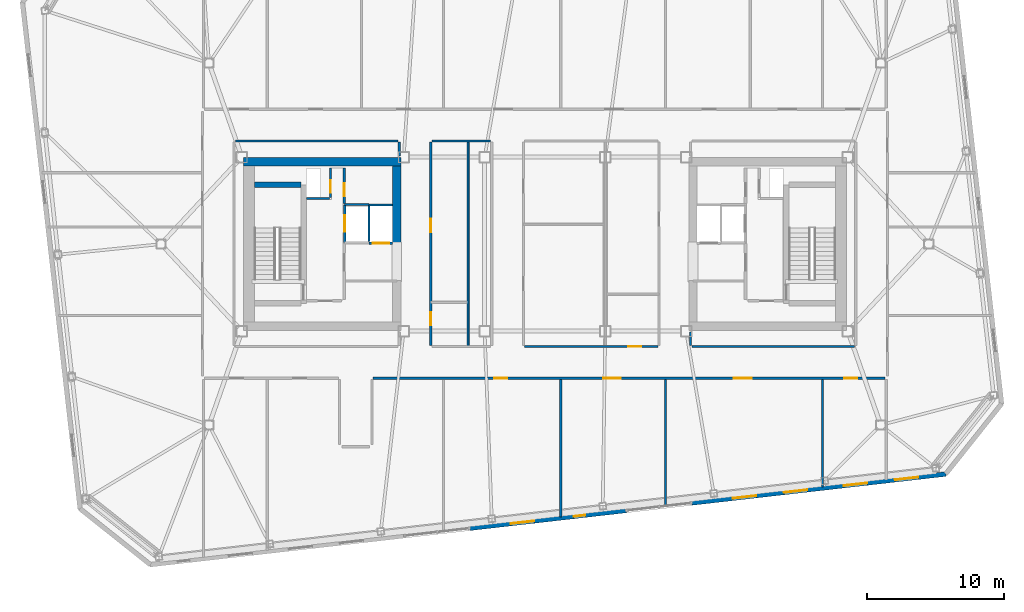
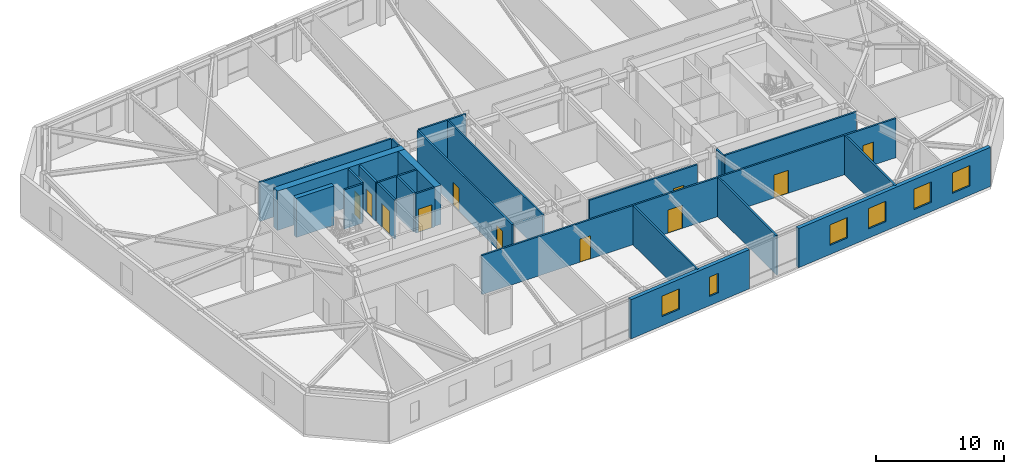
# One storey, part 13 of 19: 25 walls, 11 doors, 6 windows, 17 openings.
"""IFC4 building model written with IfcOpenShell, lengths in metres."""

import ifcopenshell
import ifcopenshell.guid

model = None  # the IFC model being written
_history = None  # IfcOwnerHistory: only IFC2X3 demands one
_inside = {}  # id of a spatial element -> (the spatial element, [elements in it])
_under = {}  # id of a project, library or spatial element -> (it, [spatial elements below it])
_declared = {}  # id of a project -> (the project, [libraries it declares])
_typed = {}  # id of a type object -> (the type object, [elements of that type])
_made_of = {}  # id of a material, layer set ... -> (it, [elements and type objects made of it])


def new_model(schema):
    """Start an empty IFC model of exactly this schema.

    Asked for "IFC4X3", IfcOpenShell would pick the latest addendum, in which some entities
    have other attributes; the version numbers below select the first issue.
    IFC2X3 requires an IfcOwnerHistory on every rooted entity: one is made here for all.
    """
    global model, _history
    if schema == "IFC4X3":
        model = ifcopenshell.file(schema_version=(4, 3, 0, 0))
    else:
        model = ifcopenshell.file(schema=schema)
    _inside.clear()
    _under.clear()
    _declared.clear()
    _typed.clear()
    _made_of.clear()
    _history = None
    if model.schema == "IFC2X3":
        org = make("IfcOrganization", Name="unknown")
        user = make(
            "IfcPersonAndOrganization",
            ThePerson=make("IfcPerson", FamilyName="unknown"),
            TheOrganization=org,
        )
        app = make(
            "IfcApplication",
            ApplicationDeveloper=org,
            Version="unknown",
            ApplicationFullName="unknown",
            ApplicationIdentifier="unknown",
        )
        _history = make(
            "IfcOwnerHistory",
            OwningUser=user,
            OwningApplication=app,
            ChangeAction="ADDED",
            CreationDate=0,
        )
    return model


def make(cls, **values):
    """One entity of the class cls with the attributes given. An attribute that is None is left unset."""
    return model.create_entity(
        cls, **{name: value for name, value in values.items() if value is not None}
    )


def rooted(cls, **values):
    """An entity with a GlobalId (a new one), such as an element, a storey or a relation."""
    return make(cls, GlobalId=ifcopenshell.guid.new(), OwnerHistory=_history, **values)


def si_unit(unit_type, name, prefix=None):
    """IfcSIUnit, for example si_unit("LENGTHUNIT", "METRE", prefix="MILLI")."""
    return make("IfcSIUnit", UnitType=unit_type, Prefix=prefix, Name=name)


def assignment(units):
    """IfcUnitAssignment: the units of a project."""
    return None if units is None else make("IfcUnitAssignment", Units=units)


def point(xyz):
    """IfcCartesianPoint."""
    return None if xyz is None else make("IfcCartesianPoint", Coordinates=xyz)


def direction(xyz):
    """IfcDirection."""
    return None if xyz is None else make("IfcDirection", DirectionRatios=xyz)


def frame(location, z_axis=None, x_axis=None):
    """IfcAxis2Placement3D, a coordinate frame: its origin and axes. An axis left out is left unset."""
    return make(
        "IfcAxis2Placement3D",
        Location=point(location),
        Axis=direction(z_axis),
        RefDirection=direction(x_axis),
    )


def frame_2d(location, x_axis=None):
    """IfcAxis2Placement2D, a coordinate frame in the plane: its origin and x axis."""
    return make(
        "IfcAxis2Placement2D", Location=point(location), RefDirection=direction(x_axis)
    )


def origin():
    """The frame at (0, 0, 0) with its axes left unset."""
    return frame((0.0, 0.0, 0.0))


def place(relative_to, where):
    """IfcLocalPlacement: puts the frame where relative to a parent placement (None: the world)."""
    return make(
        "IfcLocalPlacement", PlacementRelTo=relative_to, RelativePlacement=where
    )


def context(
    kind, dimensions, precision=None, world=None, true_north=None, identifier=None
):
    """IfcGeometricRepresentationContext, for example the 3D "Model" context."""
    return make(
        "IfcGeometricRepresentationContext",
        ContextIdentifier=identifier,
        ContextType=kind,
        CoordinateSpaceDimension=dimensions,
        Precision=precision,
        WorldCoordinateSystem=world,
        TrueNorth=true_north,
    )


def subcontext(parent, identifier, kind, view, scale=None):
    """IfcGeometricRepresentationSubContext, for example "Body" below "Model"."""
    return make(
        "IfcGeometricRepresentationSubContext",
        ContextIdentifier=identifier,
        ContextType=kind,
        ParentContext=parent,
        TargetScale=scale,
        TargetView=view,
    )


def project(units=None, contexts=None):
    """IfcProject with its units and contexts."""
    return rooted(
        "IfcProject",
        Name="project",
        RepresentationContexts=contexts,
        UnitsInContext=assignment(units),
    )


def spatial(cls, under=None, at=None, **own):
    """A site, building, storey or space (cls), placed at a placement, below another one or the project."""
    s = rooted(cls, ObjectPlacement=at, **own)
    if under is not None:
        _under.setdefault(under.id(), (under, []))[1].append(s)
    return s


def profile(cls, at=None, kind="AREA", **sizes):
    """A parametric profile (cls). Its sizes go by their IFC names, for example OverallWidth=200.0."""
    return make(cls, ProfileType=kind, Position=at, **sizes)


def rectangle(**sizes):
    """IfcRectangleProfileDef."""
    return profile("IfcRectangleProfileDef", **sizes)


def extrude(swept, where, along, depth):
    """IfcExtrudedAreaSolid: the profile swept, set in the frame where, extruded along a direction by depth."""
    return make(
        "IfcExtrudedAreaSolid",
        SweptArea=swept,
        Position=where,
        ExtrudedDirection=direction(along),
        Depth=depth,
    )


def shape(context_of_items, identifier, shape_type, items):
    """IfcShapeRepresentation: the items that make up one representation, for example the "Body"."""
    return make(
        "IfcShapeRepresentation",
        ContextOfItems=context_of_items,
        RepresentationIdentifier=identifier,
        RepresentationType=shape_type,
        Items=items,
    )


def material(Name=None, Category=None):
    """IfcMaterial."""
    return make("IfcMaterial", Name=Name, Category=Category)


def layer(
    of_material, thickness, ventilated=None, Name=None, Category=None, Priority=None
):
    """IfcMaterialLayer: one layer of a wall or slab, of a material (None: an air gap)."""
    return make(
        "IfcMaterialLayer",
        Material=of_material,
        LayerThickness=thickness,
        IsVentilated=ventilated,
        Name=Name,
        Category=Category,
        Priority=Priority,
    )


def layer_set(layers, Name=None):
    """IfcMaterialLayerSet."""
    return make("IfcMaterialLayerSet", MaterialLayers=layers, LayerSetName=Name)


def made_of(thing, what):
    """Note that an element or type object is made of a material, layer set ...; save() writes the relation."""
    if what is not None:
        _made_of.setdefault(what.id(), (what, []))[1].append(thing)
    return thing


def type_object(cls, material=None, **own):
    """A type object (cls), such as IfcWallType, which elements share."""
    return made_of(rooted(cls, **own), material)


def element(
    cls,
    number,
    at=None,
    inside=None,
    cuts=None,
    type_object=None,
    material=None,
    context=None,
    identifier="Body",
    shape_type=None,
    held_by="IfcProductDefinitionShape",
    body=None,
    shapes=None,
    **own,
):
    """One element of the class cls, such as IfcWall. Its Tag is "e" and its number.

    at: its placement. inside: the storey or other place that contains it. cuts: it is an
    opening in that element (IfcRelVoidsElement). A single representation is given by context,
    identifier, shape_type and body (its items); several are given by shapes. held_by: the class
    of the entity that holds the representations. save() writes the other relations.
    """
    e = rooted(cls, Tag="e%d" % number, ObjectPlacement=at, **own)
    if body is not None:
        shapes = [shape(context, identifier, shape_type, body)]
    if shapes is not None:
        e.Representation = make(held_by, Representations=shapes)
    if inside is not None:
        _inside.setdefault(inside.id(), (inside, []))[1].append(e)
    if cuts is not None:
        rooted(
            "IfcRelVoidsElement", RelatingBuildingElement=cuts, RelatedOpeningElement=e
        )
    if type_object is not None:
        _typed.setdefault(type_object.id(), (type_object, []))[1].append(e)
    return made_of(e, material)


def fill(opening, filler):
    """IfcRelFillsElement: the door or window that sits in an opening."""
    return rooted(
        "IfcRelFillsElement",
        RelatingOpeningElement=opening,
        RelatedBuildingElement=filler,
    )


def aggregate(whole, parts):
    """IfcRelAggregates: a whole, such as a stair, and the parts it consists of."""
    return rooted("IfcRelAggregates", RelatingObject=whole, RelatedObjects=parts)


def save(model, path):
    """Write the relations noted so far, then the file.

    IfcRelAggregates (storeys below a building ...), IfcRelContainedInSpatialStructure (elements
    in a storey), IfcRelDefinesByType, IfcRelAssociatesMaterial and IfcRelDeclares: one each for
    every whole, place, type object, material and project.
    """
    for whole, parts in _under.values():
        aggregate(whole, parts)
    for where, things in _inside.values():
        rooted(
            "IfcRelContainedInSpatialStructure",
            RelatedElements=things,
            RelatingStructure=where,
        )
    for kind, things in _typed.values():
        rooted("IfcRelDefinesByType", RelatedObjects=things, RelatingType=kind)
    for what, things in _made_of.values():
        rooted("IfcRelAssociatesMaterial", RelatedObjects=things, RelatingMaterial=what)
    for by, libraries in _declared.values():
        rooted("IfcRelDeclares", RelatingContext=by, RelatedDefinitions=libraries)
    model.write(path)


model = new_model("IFC4")

# Units and contexts
model_context = context("Model", 3, precision=1e-05, world=origin(), true_north=direction((0.0, 1.0)))
body_context = subcontext(model_context, "Body", "Model", "MODEL_VIEW")
ifc_project = project(units=[si_unit("LENGTHUNIT", "METRE"), si_unit("AREAUNIT", "SQUARE_METRE"), si_unit("VOLUMEUNIT", "CUBIC_METRE"), si_unit("PLANEANGLEUNIT", "RADIAN"), si_unit("MASSUNIT", "GRAM", prefix="KILO")], contexts=[model_context])

# Site, building, storey
site_placement = place(None, origin())
site = spatial("IfcSite", under=ifc_project, at=site_placement, CompositionType="ELEMENT")
building_placement = place(site_placement, origin())
building = spatial("IfcBuilding", under=site, at=building_placement, Name="Tavrogorsk Clinical Tower", CompositionType="ELEMENT")
storey_placement = place(building_placement, frame((0.0, 0.0, 263.0)))
storey = spatial("IfcBuildingStorey", under=building, at=storey_placement, Name="L61", CompositionType="ELEMENT", Elevation=263.0)

# Wall, opening, door
ifc_material_1 = material(Name="Concrete B60", Category="concrete")
ifc_layer_1 = layer(ifc_material_1, 0.199951171875)
ifc_layer_set_1 = layer_set([ifc_layer_1], Name="Concrete B60")
wall_type_1 = type_object("IfcWallType", Name="CoreFireWall_200", PredefinedType="SOLIDWALL", material=ifc_layer_set_1)
wall_1_placement = place(storey_placement, frame((-14.639892578125, 2.9599609375, 0.0), z_axis=(0.0, 0.0, 1.0), x_axis=(0.0, 1.0, 0.0)))
wall_1 = element("IfcWall", 1, at=wall_1_placement, inside=storey, type_object=wall_type_1, Name="L61 Core West North Core Room East Wall", PredefinedType="SOLIDWALL", context=body_context, shape_type="SweptSolid", body=[
    extrude(rectangle(XDim=2.60009765625, YDim=0.199951171875, at=frame_2d((1.300048828125, 0.0))), origin(), (0.0, 0.0, 1.0), 3.739990234375),
])
opening_1_placement = place(wall_1_placement, frame((0.52001953125, 0.0, 0.0)))
opening_1 = element("IfcOpeningElement", 2, at=opening_1_placement, cuts=wall_1, Name="Opening ID-02", PredefinedType="OPENING", context=body_context, shape_type="SweptSolid", body=[
    extrude(rectangle(XDim=0.949951171875, YDim=2.199951171875, at=frame_2d((0.47509765625, 1.10009765625))), frame((0.0, 0.10986328125, 0.0), z_axis=(0.0, -1.0, 0.0), x_axis=(1.0, 0.0, 0.0)), (0.0, 0.0, 1.0), 0.219970703125),
])
ifc_material_2 = material(Name="Laminated timber leaf on aluminium frame", Category="wood")
door_type_1 = type_object("IfcDoorType", Name="InteriorDoor_ID02_950", OperationType="NOTDEFINED", PredefinedType="DOOR", material=ifc_material_2)
door_1_placement = place(opening_1_placement, origin())
door_1 = element("IfcDoor", 3, at=door_1_placement, inside=storey, type_object=door_type_1, Name="L61 Core West Core Telemetry Room Door", OperationType="SINGLE_SWING_LEFT", OverallHeight=2.199951171875, OverallWidth=0.949951171875, PredefinedType="DOOR", context=body_context, shape_type="SweptSolid", body=[
    extrude(rectangle(XDim=0.949951171875, YDim=2.199951171875, at=frame_2d((0.47509765625, 1.10009765625))), frame((0.0, 0.02490234375, 0.0), z_axis=(0.0, -1.0, 0.0), x_axis=(1.0, 0.0, 0.0)), (0.0, 0.0, 1.0), 0.050048828125),
])
fill(opening_1, door_1)

# Wall
ifc_material_3 = material(Name="Lightweight concrete blockwork B15", Category="masonry")
ifc_layer_2 = layer(ifc_material_3, 0.139892578125)
ifc_layer_set_2 = layer_set([ifc_layer_2], Name="Lightweight concrete blockwork B15")
wall_type_2 = type_object("IfcWallType", Name="PartitionWall_140", PredefinedType="PARTITIONING", material=ifc_layer_set_2)
wall_2_placement = place(storey_placement, frame((-5.60009765625, -7.465087890625, 0.0), z_axis=(0.0, 0.0, 1.0), x_axis=(0.0, 1.0, 0.0)))
element("IfcWall", 4, at=wall_2_placement, inside=storey, type_object=wall_type_2, Name="L61 Central Spine Partition 1", PredefinedType="PARTITIONING", context=body_context, shape_type="SweptSolid", body=[
    extrude(rectangle(XDim=14.97998046875, YDim=0.139892578125, at=frame_2d((7.489990234375, 0.0))), origin(), (0.0, 0.0, 1.0), 3.739990234375),
])

# Wall, openings, doors
ifc_material_4 = material(Name="Lightweight concrete blockwork B15", Category="masonry")
ifc_layer_3 = layer(ifc_material_4, 0.159912109375)
ifc_layer_set_3 = layer_set([ifc_layer_3], Name="Lightweight concrete blockwork B15")
wall_type_3 = type_object("IfcWallType", Name="PartitionWall_160", PredefinedType="PARTITIONING", material=ifc_layer_set_3)
wall_3_placement = place(storey_placement, frame((24.81494140625, -9.780029296875, 0.0), z_axis=(0.0, 0.0, 1.0), x_axis=(-1.0, 0.0, 0.0)))
wall_3 = element("IfcWall", 5, at=wall_3_placement, inside=storey, type_object=wall_type_3, Name="L61 Corridor Partition 04", PredefinedType="PARTITIONING", context=body_context, shape_type="SweptSolid", body=[
    extrude(rectangle(XDim=37.349853515625, YDim=0.159912109375, at=frame_2d((18.6748046875, 0.0))), origin(), (0.0, 0.0, 1.0), 3.739990234375),
])
opening_2_placement = place(wall_3_placement, frame((27.550048828125, 0.0, 0.0)))
opening_2 = element("IfcOpeningElement", 6, at=opening_2_placement, cuts=wall_3, Name="Opening ID-02", PredefinedType="OPENING", context=body_context, shape_type="SweptSolid", body=[
    extrude(rectangle(XDim=0.949951171875, YDim=2.199951171875, at=frame_2d((0.47509765625, 1.10009765625))), frame((0.0, 0.08984375, 0.0), z_axis=(0.0, -1.0, 0.0), x_axis=(1.0, 0.0, 0.0)), (0.0, 0.0, 1.0), 0.179931640625),
])
opening_3_placement = place(wall_3_placement, frame((19.27490234375, 0.0, 0.0)))
opening_3 = element("IfcOpeningElement", 7, at=opening_3_placement, cuts=wall_3, Name="Opening ID-01", PredefinedType="OPENING", context=body_context, shape_type="SweptSolid", body=[
    extrude(rectangle(XDim=1.300048828125, YDim=2.199951171875, at=frame_2d((0.64990234375, 1.10009765625))), frame((0.0, 0.08984375, 0.0), z_axis=(0.0, -1.0, 0.0), x_axis=(1.0, 0.0, 0.0)), (0.0, 0.0, 1.0), 0.179931640625),
])
opening_4_placement = place(wall_3_placement, frame((9.72509765625, 0.0, 0.0)))
opening_4 = element("IfcOpeningElement", 8, at=opening_4_placement, cuts=wall_3, Name="Opening ID-01", PredefinedType="OPENING", context=body_context, shape_type="SweptSolid", body=[
    extrude(rectangle(XDim=1.300048828125, YDim=2.199951171875, at=frame_2d((0.64990234375, 1.10009765625))), frame((0.0, 0.08984375, 0.0), z_axis=(0.0, -1.0, 0.0), x_axis=(1.0, 0.0, 0.0)), (0.0, 0.0, 1.0), 0.179931640625),
])
opening_5_placement = place(wall_3_placement, frame((2.044189453125, 0.0, 0.0)))
opening_5 = element("IfcOpeningElement", 9, at=opening_5_placement, cuts=wall_3, Name="Opening ID-02", PredefinedType="OPENING", context=body_context, shape_type="SweptSolid", body=[
    extrude(rectangle(XDim=0.949951171875, YDim=2.199951171875, at=frame_2d((0.47509765625, 1.10009765625))), frame((0.0, 0.08984375, 0.0), z_axis=(0.0, -1.0, 0.0), x_axis=(1.0, 0.0, 0.0)), (0.0, 0.0, 1.0), 0.179931640625),
])
door_2_placement = place(opening_2_placement, origin())
door_2 = element("IfcDoor", 10, at=door_2_placement, inside=storey, type_object=door_type_1, Name="L61 South Attending Physician Office 03A Door", OperationType="SINGLE_SWING_LEFT", OverallHeight=2.199951171875, OverallWidth=0.949951171875, PredefinedType="DOOR", context=body_context, shape_type="SweptSolid", body=[
    extrude(rectangle(XDim=0.949951171875, YDim=2.199951171875, at=frame_2d((0.47509765625, 1.10009765625))), frame((0.0, 0.02490234375, 0.0), z_axis=(0.0, -1.0, 0.0), x_axis=(1.0, 0.0, 0.0)), (0.0, 0.0, 1.0), 0.050048828125),
])
fill(opening_2, door_2)
door_3_placement = place(opening_5_placement, origin())
door_3 = element("IfcDoor", 11, at=door_3_placement, inside=storey, type_object=door_type_1, Name="L61 South Clean Medication & Prep Room 05 Door", OperationType="SINGLE_SWING_RIGHT", OverallHeight=2.199951171875, OverallWidth=0.949951171875, PredefinedType="DOOR", context=body_context, shape_type="SweptSolid", body=[
    extrude(rectangle(XDim=0.949951171875, YDim=2.199951171875, at=frame_2d((0.47509765625, 1.10009765625))), frame((0.0, 0.02490234375, 0.0), z_axis=(0.0, -1.0, 0.0), x_axis=(1.0, 0.0, 0.0)), (0.0, 0.0, 1.0), 0.050048828125),
])
fill(opening_5, door_3)
ifc_material_5 = material(Name="Antibacterial HPL medical leaf on aluminium frame", Category="aluminium")
door_type_2 = type_object("IfcDoorType", Name="WardBedDoor_ID01_1300", OperationType="NOTDEFINED", PredefinedType="DOOR", material=ifc_material_5)
door_4_placement = place(opening_3_placement, origin())
door_4 = element("IfcDoor", 12, at=door_4_placement, inside=storey, type_object=door_type_2, Name="L61 South Bariatric Observation Ward 03B Door", OperationType="SINGLE_SWING_RIGHT", OverallHeight=2.199951171875, OverallWidth=1.300048828125, PredefinedType="DOOR", context=body_context, shape_type="SweptSolid", body=[
    extrude(rectangle(XDim=1.300048828125, YDim=2.199951171875, at=frame_2d((0.64990234375, 1.10009765625))), frame((0.0, 0.02490234375, 0.0), z_axis=(0.0, -1.0, 0.0), x_axis=(1.0, 0.0, 0.0)), (0.0, 0.0, 1.0), 0.050048828125),
])
fill(opening_3, door_4)
door_5_placement = place(opening_4_placement, origin())
door_5 = element("IfcDoor", 13, at=door_5_placement, inside=storey, type_object=door_type_2, Name="L61 South Acute Medical Ward 04 Door", OperationType="SINGLE_SWING_LEFT", OverallHeight=2.199951171875, OverallWidth=1.300048828125, PredefinedType="DOOR", context=body_context, shape_type="SweptSolid", body=[
    extrude(rectangle(XDim=1.300048828125, YDim=2.199951171875, at=frame_2d((0.64990234375, 1.10009765625))), frame((0.0, 0.02490234375, 0.0), z_axis=(0.0, -1.0, 0.0), x_axis=(1.0, 0.0, 0.0)), (0.0, 0.0, 1.0), 0.050048828125),
])
fill(opening_4, door_5)

# Walls
wall_4_placement = place(storey_placement, frame((10.6298828125, -6.419921875, 0.0), z_axis=(0.0, 0.0, 1.0), x_axis=(0.0, -1.0, 0.0)))
element("IfcWall", 14, at=wall_4_placement, inside=storey, type_object=wall_type_3, Name="L61 Corridor Partition 11", PredefinedType="PARTITIONING", context=body_context, shape_type="SweptSolid", body=[
    extrude(rectangle(XDim=0.965087890625, YDim=0.159912109375, at=frame_2d((0.482421875, 0.0))), origin(), (0.0, 0.0, 1.0), 3.739990234375),
])
wall_5_placement = place(storey_placement, frame((10.715087890625, -7.469970703125, 0.0), z_axis=(0.0, 0.0, 1.0), x_axis=(1.0, 0.0, 0.0)))
element("IfcWall", 15, at=wall_5_placement, inside=storey, type_object=wall_type_3, Name="L61 Corridor Partition 12", PredefinedType="PARTITIONING", context=body_context, shape_type="SweptSolid", body=[
    extrude(rectangle(XDim=11.869873046875, YDim=0.159912109375, at=frame_2d((5.93505859375, 0.0))), origin(), (0.0, 0.0, 1.0), 3.739990234375),
])

# Wall, opening, door
wall_6_placement = place(storey_placement, frame((-1.485107421875, -7.469970703125, 0.0), z_axis=(0.0, 0.0, 1.0), x_axis=(1.0, 0.0, 0.0)))
wall_6 = element("IfcWall", 16, at=wall_6_placement, inside=storey, type_object=wall_type_3, Name="L61 Corridor Partition 16", PredefinedType="PARTITIONING", context=body_context, shape_type="SweptSolid", body=[
    extrude(rectangle(XDim=9.72021484375, YDim=0.159912109375, at=frame_2d((4.860107421875, 0.0))), origin(), (0.0, 0.0, 1.0), 3.739990234375),
])
opening_6_placement = place(wall_6_placement, frame((7.560791015625, 0.0, 0.0)))
opening_6 = element("IfcOpeningElement", 17, at=opening_6_placement, cuts=wall_6, Name="Opening ID-02", PredefinedType="OPENING", context=body_context, shape_type="SweptSolid", body=[
    extrude(rectangle(XDim=0.949951171875, YDim=2.199951171875, at=frame_2d((0.47509765625, 1.10009765625))), frame((0.0, 0.08984375, 0.0), z_axis=(0.0, -1.0, 0.0), x_axis=(1.0, 0.0, 0.0)), (0.0, 0.0, 1.0), 0.179931640625),
])
door_6_placement = place(opening_6_placement, origin())
door_6 = element("IfcDoor", 18, at=door_6_placement, inside=storey, type_object=door_type_1, Name="L61 Staff & Visitor Accessible WC Door", OperationType="SINGLE_SWING_LEFT", OverallHeight=2.199951171875, OverallWidth=0.949951171875, PredefinedType="DOOR", context=body_context, shape_type="SweptSolid", body=[
    extrude(rectangle(XDim=0.949951171875, YDim=2.199951171875, at=frame_2d((0.47509765625, 1.10009765625))), frame((0.0, 0.02490234375, 0.0), z_axis=(0.0, -1.0, 0.0), x_axis=(1.0, 0.0, 0.0)), (0.0, 0.0, 1.0), 0.050048828125),
])
fill(opening_6, door_6)

# Wall
wall_7_placement = place(storey_placement, frame((-3.965087890625, 7.52001953125, 0.0), z_axis=(0.0, 0.0, 1.0), x_axis=(-1.0, 0.0, 0.0)))
element("IfcWall", 19, at=wall_7_placement, inside=storey, type_object=wall_type_3, Name="L61 Corridor Partition 19", PredefinedType="PARTITIONING", context=body_context, shape_type="SweptSolid", body=[
    extrude(rectangle(XDim=4.27001953125, YDim=0.159912109375, at=frame_2d((2.135009765625, 0.0))), origin(), (0.0, 0.0, 1.0), 3.739990234375),
])

# Wall, openings, doors
wall_8_placement = place(storey_placement, frame((-8.320068359375, 7.43505859375, 0.0), z_axis=(0.0, 0.0, 1.0), x_axis=(0.0, -1.0, 0.0)))
wall_8 = element("IfcWall", 20, at=wall_8_placement, inside=storey, type_object=wall_type_3, Name="L61 Corridor Partition 20", PredefinedType="PARTITIONING", context=body_context, shape_type="SweptSolid", body=[
    extrude(rectangle(XDim=14.820068359375, YDim=0.159912109375, at=frame_2d((7.41015625, 0.0))), origin(), (0.0, 0.0, 1.0), 3.739990234375),
])
opening_7_placement = place(wall_8_placement, frame((12.410888671875, 0.0, 0.0)))
opening_7 = element("IfcOpeningElement", 21, at=opening_7_placement, cuts=wall_8, Name="Opening ID-02", PredefinedType="OPENING", context=body_context, shape_type="SweptSolid", body=[
    extrude(rectangle(XDim=0.949951171875, YDim=2.199951171875, at=frame_2d((0.47509765625, 1.10009765625))), frame((0.0, 0.08984375, 0.0), z_axis=(0.0, -1.0, 0.0), x_axis=(1.0, 0.0, 0.0)), (0.0, 0.0, 1.0), 0.179931640625),
])
opening_8_placement = place(wall_8_placement, frame((5.60400390625, 0.0, 0.0)))
opening_8 = element("IfcOpeningElement", 22, at=opening_8_placement, cuts=wall_8, Name="Opening ID-02", PredefinedType="OPENING", context=body_context, shape_type="SweptSolid", body=[
    extrude(rectangle(XDim=0.949951171875, YDim=2.199951171875, at=frame_2d((0.47509765625, 1.10009765625))), frame((0.0, 0.08984375, 0.0), z_axis=(0.0, -1.0, 0.0), x_axis=(1.0, 0.0, 0.0)), (0.0, 0.0, 1.0), 0.179931640625),
])
door_7_placement = place(opening_7_placement, origin())
door_7 = element("IfcDoor", 23, at=door_7_placement, inside=storey, type_object=door_type_1, Name="L61 Accessible Patient Lavatory Door", OperationType="SINGLE_SWING_LEFT", OverallHeight=2.199951171875, OverallWidth=0.949951171875, PredefinedType="DOOR", context=body_context, shape_type="SweptSolid", body=[
    extrude(rectangle(XDim=0.949951171875, YDim=2.199951171875, at=frame_2d((0.47509765625, 1.10009765625))), frame((0.0, 0.02490234375, 0.0), z_axis=(0.0, -1.0, 0.0), x_axis=(1.0, 0.0, 0.0)), (0.0, 0.0, 1.0), 0.050048828125),
])
fill(opening_7, door_7)
door_8_placement = place(opening_8_placement, origin())
door_8 = element("IfcDoor", 24, at=door_8_placement, inside=storey, type_object=door_type_1, Name="L61 Ward Nourishment Pantry Door", OperationType="SINGLE_SWING_RIGHT", OverallHeight=2.199951171875, OverallWidth=0.949951171875, PredefinedType="DOOR", context=body_context, shape_type="SweptSolid", body=[
    extrude(rectangle(XDim=0.949951171875, YDim=2.199951171875, at=frame_2d((0.47509765625, 1.10009765625))), frame((0.0, 0.02490234375, 0.0), z_axis=(0.0, -1.0, 0.0), x_axis=(1.0, 0.0, 0.0)), (0.0, 0.0, 1.0), 0.050048828125),
])
fill(opening_8, door_8)

# Walls
wall_9_placement = place(storey_placement, frame((-10.6298828125, 6.419921875, 0.0), z_axis=(0.0, 0.0, 1.0), x_axis=(0.0, 1.0, 0.0)))
element("IfcWall", 25, at=wall_9_placement, inside=storey, type_object=wall_type_3, Name="L61 Corridor Partition 23", PredefinedType="PARTITIONING", context=body_context, shape_type="SweptSolid", body=[
    extrude(rectangle(XDim=1.01513671875, YDim=0.159912109375, at=frame_2d((0.507568359375, 0.0))), origin(), (0.0, 0.0, 1.0), 3.739990234375),
])
wall_10_placement = place(storey_placement, frame((-10.715087890625, 7.52001953125, 0.0), z_axis=(0.0, 0.0, 1.0), x_axis=(-1.0, 0.0, 0.0)))
element("IfcWall", 26, at=wall_10_placement, inside=storey, type_object=wall_type_3, Name="L61 Corridor Partition 24", PredefinedType="PARTITIONING", context=body_context, shape_type="SweptSolid", body=[
    extrude(rectangle(XDim=11.869873046875, YDim=0.159912109375, at=frame_2d((5.93505859375, 0.0))), origin(), (0.0, 0.0, 1.0), 3.739990234375),
])
wall_11_placement = place(storey_placement, frame((8.800048828125, -19.03369140625, 0.0), z_axis=(0.0, 0.0, 1.0), x_axis=(0.0, 1.0, 0.0)))
element("IfcWall", 27, at=wall_11_placement, inside=storey, type_object=wall_type_3, Name="L61 South Room Partition 3", PredefinedType="PARTITIONING", context=body_context, shape_type="SweptSolid", body=[
    extrude(rectangle(XDim=9.168701171875, YDim=0.159912109375, at=frame_2d((4.58447265625, 0.0))), origin(), (0.0, 0.0, 1.0), 3.739990234375),
])
wall_12_placement = place(storey_placement, frame((20.25, -17.729248046875, 0.0), z_axis=(0.0, 0.0, 1.0), x_axis=(0.0, 1.0, 0.0)))
element("IfcWall", 28, at=wall_12_placement, inside=storey, type_object=wall_type_3, Name="L61 South Room Partition 4", PredefinedType="PARTITIONING", context=body_context, shape_type="SweptSolid", body=[
    extrude(rectangle(XDim=7.8642578125, YDim=0.159912109375, at=frame_2d((3.93212890625, 0.0))), origin(), (0.0, 0.0, 1.0), 3.739990234375),
])
wall_13_placement = place(storey_placement, frame((1.14990234375, -19.905517578125, 0.0), z_axis=(0.0, 0.0, 1.0), x_axis=(0.0, 1.0, 0.0)))
element("IfcWall", 29, at=wall_13_placement, inside=storey, type_object=wall_type_3, Name="L61 South Sub-Partition 3", PredefinedType="PARTITIONING", context=body_context, shape_type="SweptSolid", body=[
    extrude(rectangle(XDim=10.04052734375, YDim=0.159912109375, at=frame_2d((5.020263671875, 0.0))), origin(), (0.0, 0.0, 1.0), 3.739990234375),
])

# Wall, openings, windows
ifc_material_6 = material(Name="Precast concrete B45 with limestone cladding", Category="masonry")
ifc_layer_4 = layer(ifc_material_6, 0.340087890625)
ifc_layer_set_4 = layer_set([ifc_layer_4], Name="Precast concrete B45 with limestone cladding")
wall_type_4 = type_object("IfcWallType", Name="PrecastLimestoneWall_340", PredefinedType="STANDARD", material=ifc_layer_set_4)
wall_14_placement = place(storey_placement, frame((-5.48193359375, -20.7314453125, 0.0), z_axis=(0.0, 0.0, 1.0), x_axis=(0.993571968199, 0.113202226169, 0.0)))
wall_14 = element("IfcWall", 30, at=wall_14_placement, inside=storey, type_object=wall_type_4, Name="L61 S Limestone Facade Wall 2", PredefinedType="STANDARD", context=body_context, shape_type="SweptSolid", body=[
    extrude(rectangle(XDim=11.497314453125, YDim=0.340087890625, at=frame_2d((5.74853515625, 0.0))), origin(), (0.0, 0.0, 1.0), 3.739990234375),
])
opening_9_placement = place(wall_14_placement, frame((3.0244140625, 0.0, 0.8798828125)))
opening_9 = element("IfcOpeningElement", 31, at=opening_9_placement, cuts=wall_14, Name="Opening WN-15", PredefinedType="OPENING", context=body_context, shape_type="SweptSolid", body=[
    extrude(rectangle(XDim=1.699951171875, YDim=1.949951171875, at=frame_2d((0.85009765625, 0.97509765625))), frame((0.0, 0.179931640625, 0.0), z_axis=(0.0, -1.0, 0.0), x_axis=(1.0, 0.0, 0.0)), (0.0, 0.0, 1.0), 0.360107421875),
])
opening_10_placement = place(wall_14_placement, frame((7.622802734375, 0.0, 0.8798828125)))
opening_10 = element("IfcOpeningElement", 32, at=opening_10_placement, cuts=wall_14, Name="Opening WN-06", PredefinedType="OPENING", context=body_context, shape_type="SweptSolid", body=[
    extrude(rectangle(XDim=0.85009765625, YDim=1.85009765625, at=frame_2d((0.425048828125, 0.925048828125))), frame((0.0, 0.179931640625, 0.0), z_axis=(0.0, -1.0, 0.0), x_axis=(1.0, 0.0, 0.0)), (0.0, 0.0, 1.0), 0.360107421875),
])
ifc_material_7 = material(Name="Thermally broken aluminium frame and triple IGU", Category="aluminium")
window_type_1 = type_object("IfcWindowType", Name="MullionSubWin_850x1850", PartitioningType="SINGLE_PANEL", PredefinedType="WINDOW", material=ifc_material_7)
window_1_placement = place(opening_10_placement, origin())
window_1 = element("IfcWindow", 33, at=window_1_placement, inside=storey, type_object=window_type_1, Name="L61 S Mullion Split Window 06B", OverallHeight=1.85009765625, OverallWidth=0.85009765625, PartitioningType="SINGLE_PANEL", PredefinedType="WINDOW", context=body_context, shape_type="SweptSolid", body=[
    extrude(rectangle(XDim=0.85009765625, YDim=1.85009765625, at=frame_2d((0.425048828125, 0.925048828125))), frame((0.0, 0.030029296875, 0.0), z_axis=(0.0, -1.0, 0.0), x_axis=(1.0, 0.0, 0.0)), (0.0, 0.0, 1.0), 0.06005859375),
])
fill(opening_10, window_1)
ifc_material_8 = material(Name="Thermally broken aluminium frame and triple IGU", Category="aluminium")
window_type_2 = type_object("IfcWindowType", Name="OfficeChicagoWin_1700x1950", PartitioningType="SINGLE_PANEL", PredefinedType="WINDOW", material=ifc_material_8)
window_2_placement = place(opening_9_placement, origin())
window_2 = element("IfcWindow", 34, at=window_2_placement, inside=storey, type_object=window_type_2, Name="L61 S Chicago Window 05", OverallHeight=1.949951171875, OverallWidth=1.699951171875, PartitioningType="SINGLE_PANEL", PredefinedType="WINDOW", context=body_context, shape_type="SweptSolid", body=[
    extrude(rectangle(XDim=1.699951171875, YDim=1.949951171875, at=frame_2d((0.85009765625, 0.97509765625))), frame((0.0, 0.030029296875, 0.0), z_axis=(0.0, -1.0, 0.0), x_axis=(1.0, 0.0, 0.0)), (0.0, 0.0, 1.0), 0.06005859375),
])
fill(opening_9, window_2)

wall_15_placement = place(storey_placement, frame((10.71044921875, -18.886474609375, 0.0), z_axis=(0.0, 0.0, 1.0), x_axis=(0.993572271362, 0.113199565282, 0.0)))
wall_15 = element("IfcWall", 35, at=wall_15_placement, inside=storey, type_object=wall_type_4, Name="L61 S Limestone Facade Wall 3", PredefinedType="STANDARD", context=body_context, shape_type="SweptSolid", body=[
    extrude(rectangle(XDim=18.6513671875, YDim=0.340087890625, at=frame_2d((9.32568359375, 0.0))), origin(), (0.0, 0.0, 1.0), 3.739990234375),
])
opening_11_placement = place(wall_15_placement, frame((3.0244140625, 0.0, 0.8798828125)))
opening_11 = element("IfcOpeningElement", 36, at=opening_11_placement, cuts=wall_15, Name="Opening WN-15", PredefinedType="OPENING", context=body_context, shape_type="SweptSolid", body=[
    extrude(rectangle(XDim=1.699951171875, YDim=1.949951171875, at=frame_2d((0.85009765625, 0.97509765625))), frame((0.0, 0.179931640625, 0.0), z_axis=(0.0, -1.0, 0.0), x_axis=(1.0, 0.0, 0.0)), (0.0, 0.0, 1.0), 0.360107421875),
])
opening_12_placement = place(wall_15_placement, frame((6.772705078125, 0.0, 0.8798828125)))
opening_12 = element("IfcOpeningElement", 37, at=opening_12_placement, cuts=wall_15, Name="Opening WN-15", PredefinedType="OPENING", context=body_context, shape_type="SweptSolid", body=[
    extrude(rectangle(XDim=1.699951171875, YDim=1.949951171875, at=frame_2d((0.85009765625, 0.97509765625))), frame((0.0, 0.179931640625, 0.0), z_axis=(0.0, -1.0, 0.0), x_axis=(1.0, 0.0, 0.0)), (0.0, 0.0, 1.0), 0.360107421875),
])
opening_13_placement = place(wall_15_placement, frame((11.1728515625, 0.0, 0.8798828125)))
opening_13 = element("IfcOpeningElement", 38, at=opening_13_placement, cuts=wall_15, Name="Opening WN-15", PredefinedType="OPENING", context=body_context, shape_type="SweptSolid", body=[
    extrude(rectangle(XDim=1.699951171875, YDim=1.949951171875, at=frame_2d((0.85009765625, 0.97509765625))), frame((0.0, 0.179931640625, 0.0), z_axis=(0.0, -1.0, 0.0), x_axis=(1.0, 0.0, 0.0)), (0.0, 0.0, 1.0), 0.360107421875),
])
opening_14_placement = place(wall_15_placement, frame((14.921142578125, 0.0, 0.8798828125)))
opening_14 = element("IfcOpeningElement", 39, at=opening_14_placement, cuts=wall_15, Name="Opening WN-15", PredefinedType="OPENING", context=body_context, shape_type="SweptSolid", body=[
    extrude(rectangle(XDim=1.699951171875, YDim=1.949951171875, at=frame_2d((0.85009765625, 0.97509765625))), frame((0.0, 0.179931640625, 0.0), z_axis=(0.0, -1.0, 0.0), x_axis=(1.0, 0.0, 0.0)), (0.0, 0.0, 1.0), 0.360107421875),
])
window_3_placement = place(opening_11_placement, origin())
window_3 = element("IfcWindow", 40, at=window_3_placement, inside=storey, type_object=window_type_2, Name="L61 S Chicago Window 07", OverallHeight=1.949951171875, OverallWidth=1.699951171875, PartitioningType="SINGLE_PANEL", PredefinedType="WINDOW", context=body_context, shape_type="SweptSolid", body=[
    extrude(rectangle(XDim=1.699951171875, YDim=1.949951171875, at=frame_2d((0.85009765625, 0.97509765625))), frame((0.0, 0.030029296875, 0.0), z_axis=(0.0, -1.0, 0.0), x_axis=(1.0, 0.0, 0.0)), (0.0, 0.0, 1.0), 0.06005859375),
])
fill(opening_11, window_3)
window_4_placement = place(opening_12_placement, origin())
window_4 = element("IfcWindow", 41, at=window_4_placement, inside=storey, type_object=window_type_2, Name="L61 S Chicago Window 08", OverallHeight=1.949951171875, OverallWidth=1.699951171875, PartitioningType="SINGLE_PANEL", PredefinedType="WINDOW", context=body_context, shape_type="SweptSolid", body=[
    extrude(rectangle(XDim=1.699951171875, YDim=1.949951171875, at=frame_2d((0.85009765625, 0.97509765625))), frame((0.0, 0.030029296875, 0.0), z_axis=(0.0, -1.0, 0.0), x_axis=(1.0, 0.0, 0.0)), (0.0, 0.0, 1.0), 0.06005859375),
])
fill(opening_12, window_4)
window_5_placement = place(opening_13_placement, origin())
window_5 = element("IfcWindow", 42, at=window_5_placement, inside=storey, type_object=window_type_2, Name="L61 S Chicago Window 09", OverallHeight=1.949951171875, OverallWidth=1.699951171875, PartitioningType="SINGLE_PANEL", PredefinedType="WINDOW", context=body_context, shape_type="SweptSolid", body=[
    extrude(rectangle(XDim=1.699951171875, YDim=1.949951171875, at=frame_2d((0.85009765625, 0.97509765625))), frame((0.0, 0.030029296875, 0.0), z_axis=(0.0, -1.0, 0.0), x_axis=(1.0, 0.0, 0.0)), (0.0, 0.0, 1.0), 0.06005859375),
])
fill(opening_13, window_5)
window_6_placement = place(opening_14_placement, origin())
window_6 = element("IfcWindow", 43, at=window_6_placement, inside=storey, type_object=window_type_2, Name="L61 S Chicago Window 10", OverallHeight=1.949951171875, OverallWidth=1.699951171875, PartitioningType="SINGLE_PANEL", PredefinedType="WINDOW", context=body_context, shape_type="SweptSolid", body=[
    extrude(rectangle(XDim=1.699951171875, YDim=1.949951171875, at=frame_2d((0.85009765625, 0.97509765625))), frame((0.0, 0.030029296875, 0.0), z_axis=(0.0, -1.0, 0.0), x_axis=(1.0, 0.0, 0.0)), (0.0, 0.0, 1.0), 0.06005859375),
])
fill(opening_14, window_6)

# Wall, opening, door
ifc_material_9 = material(Name="Lightweight concrete blockwork B25", Category="masonry")
ifc_layer_5 = layer(ifc_material_9, 0.159912109375)
ifc_layer_set_5 = layer_set([ifc_layer_5], Name="Lightweight concrete blockwork B25")
wall_type_5 = type_object("IfcWallType", Name="ShaftWall_160", PredefinedType="PARTITIONING", material=ifc_layer_set_5)
wall_16_placement = place(storey_placement, frame((-14.60009765625, 0.1201171875, 0.0), z_axis=(0.0, 0.0, 1.0), x_axis=(0.0, 1.0, 0.0)))
wall_16 = element("IfcWall", 44, at=wall_16_placement, inside=storey, type_object=wall_type_5, Name="L61 FFL-W Firefighting Lift Front Wall", PredefinedType="PARTITIONING", context=body_context, shape_type="SweptSolid", body=[
    extrude(rectangle(XDim=2.739990234375, YDim=0.159912109375, at=frame_2d((1.3701171875, 0.0))), origin(), (0.0, 0.0, 1.0), 3.739990234375),
])
opening_15_placement = place(wall_16_placement, frame((0.77001953125, 0.0, 0.0)))
opening_15 = element("IfcOpeningElement", 45, at=opening_15_placement, cuts=wall_16, Name="Opening LD", PredefinedType="OPENING", context=body_context, shape_type="SweptSolid", body=[
    extrude(rectangle(XDim=1.199951171875, YDim=2.199951171875, at=frame_2d((0.60009765625, 1.10009765625))), frame((0.0, 0.08984375, 0.0), z_axis=(0.0, -1.0, 0.0), x_axis=(1.0, 0.0, 0.0)), (0.0, 0.0, 1.0), 0.179931640625),
])
ifc_material_10 = material(Name="Brushed stainless steel AISI 304 sliding doors", Category="steel")
door_type_3 = type_object("IfcDoorType", Name="LiftLandingDoor_LD_1200", OperationType="SLIDING_TO_LEFT", PredefinedType="DOOR", material=ifc_material_10)
door_9_placement = place(opening_15_placement, origin())
door_9 = element("IfcDoor", 46, at=door_9_placement, inside=storey, type_object=door_type_3, Name="L61 FFL-W Sliding Lift Landing Door", OperationType="SLIDING_TO_LEFT", OverallHeight=2.199951171875, OverallWidth=1.199951171875, PredefinedType="DOOR", context=body_context, shape_type="SweptSolid", body=[
    extrude(rectangle(XDim=1.199951171875, YDim=2.199951171875, at=frame_2d((0.60009765625, 1.10009765625))), frame((0.0, 0.02490234375, 0.0), z_axis=(0.0, -1.0, 0.0), x_axis=(1.0, 0.0, 0.0)), (0.0, 0.0, 1.0), 0.050048828125),
])
fill(opening_15, door_9)

# Walls
wall_17_placement = place(storey_placement, frame((-14.60009765625, 2.8798828125, 0.0), z_axis=(0.0, 0.0, 1.0), x_axis=(1.0, 0.0, 0.0)))
element("IfcWall", 47, at=wall_17_placement, inside=storey, type_object=wall_type_5, Name="L61 FFL-W Shaft North Wall", PredefinedType="PARTITIONING", context=body_context, shape_type="SweptSolid", body=[
    extrude(rectangle(XDim=1.760009765625, YDim=0.159912109375, at=frame_2d((0.8798828125, 0.0))), origin(), (0.0, 0.0, 1.0), 3.739990234375),
])
wall_18_placement = place(storey_placement, frame((-12.840087890625, 0.179931640625, 0.0), z_axis=(0.0, 0.0, 1.0), x_axis=(0.0, 1.0, 0.0)))
element("IfcWall", 48, at=wall_18_placement, inside=storey, type_object=wall_type_5, Name="L61 FFL-W Shaft Back Wall", PredefinedType="PARTITIONING", context=body_context, shape_type="SweptSolid", body=[
    extrude(rectangle(XDim=2.6201171875, YDim=0.159912109375, at=frame_2d((1.31005859375, 0.0))), origin(), (0.0, 0.0, 1.0), 3.739990234375),
])

# Wall, opening, door
wall_19_placement = place(storey_placement, frame((-12.820068359375, 0.06005859375, 0.0), z_axis=(0.0, 0.0, 1.0), x_axis=(1.0, 0.0, 0.0)))
wall_19 = element("IfcWall", 49, at=wall_19_placement, inside=storey, type_object=wall_type_5, Name="L61 LP-H1 High-Zone Lift Portal Wall", PredefinedType="PARTITIONING", context=body_context, shape_type="SweptSolid", body=[
    extrude(rectangle(XDim=1.719970703125, YDim=0.159912109375, at=frame_2d((0.85986328125, 0.0))), origin(), (0.0, 0.0, 1.0), 3.739990234375),
])
opening_16_placement = place(wall_19_placement, frame((0.260009765625, 0.0, 0.0)))
opening_16 = element("IfcOpeningElement", 50, at=opening_16_placement, cuts=wall_19, Name="Opening LD", PredefinedType="OPENING", context=body_context, shape_type="SweptSolid", body=[
    extrude(rectangle(XDim=1.199951171875, YDim=2.199951171875, at=frame_2d((0.60009765625, 1.10009765625))), frame((0.0, 0.08984375, 0.0), z_axis=(0.0, -1.0, 0.0), x_axis=(1.0, 0.0, 0.0)), (0.0, 0.0, 1.0), 0.179931640625),
])
door_10_placement = place(opening_16_placement, origin())
door_10 = element("IfcDoor", 51, at=door_10_placement, inside=storey, type_object=door_type_3, Name="L61 LP-H1 Sliding Lift Landing Door", OperationType="SLIDING_TO_LEFT", OverallHeight=2.199951171875, OverallWidth=1.199951171875, PredefinedType="DOOR", context=body_context, shape_type="SweptSolid", body=[
    extrude(rectangle(XDim=1.199951171875, YDim=2.199951171875, at=frame_2d((0.60009765625, 1.10009765625))), frame((0.0, 0.02490234375, 0.0), z_axis=(0.0, -1.0, 0.0), x_axis=(1.0, 0.0, 0.0)), (0.0, 0.0, 1.0), 0.050048828125),
])
fill(opening_16, door_10)

# Wall
wall_20_placement = place(storey_placement, frame((-12.820068359375, 2.860107421875, 0.0), z_axis=(0.0, 0.0, 1.0), x_axis=(1.0, 0.0, 0.0)))
element("IfcWall", 52, at=wall_20_placement, inside=storey, type_object=wall_type_5, Name="L61 LP-H1 High-Zone Lift Rear Wall", PredefinedType="PARTITIONING", context=body_context, shape_type="SweptSolid", body=[
    extrude(rectangle(XDim=1.719970703125, YDim=0.159912109375, at=frame_2d((0.85986328125, 0.0))), origin(), (0.0, 0.0, 1.0), 3.739990234375),
])

# Wall, opening, door
wall_21_placement = place(storey_placement, frame((-15.639892578125, 3.405029296875, 0.0), z_axis=(0.0, 0.0, 1.0), x_axis=(0.0, 1.0, 0.0)))
wall_21 = element("IfcWall", 53, at=wall_21_placement, inside=storey, type_object=wall_type_5, Name="L61 Core West Riser West Wall", PredefinedType="PARTITIONING", context=body_context, shape_type="SweptSolid", body=[
    extrude(rectangle(XDim=2.155029296875, YDim=0.159912109375, at=frame_2d((1.07763671875, 0.0))), origin(), (0.0, 0.0, 1.0), 3.739990234375),
])
opening_17_placement = place(wall_21_placement, frame((0.35009765625, 0.0, 0.0)))
opening_17 = element("IfcOpeningElement", 54, at=opening_17_placement, cuts=wall_21, Name="Opening FD-02", PredefinedType="OPENING", context=body_context, shape_type="SweptSolid", body=[
    extrude(rectangle(XDim=0.89990234375, YDim=2.199951171875, at=frame_2d((0.449951171875, 1.10009765625))), frame((0.0, 0.08984375, 0.0), z_axis=(0.0, -1.0, 0.0), x_axis=(1.0, 0.0, 0.0)), (0.0, 0.0, 1.0), 0.179931640625),
])
ifc_material_11 = material(Name="Galvanised steel fire-rated door assembly", Category="steel")
door_type_4 = type_object("IfcDoorType", Name="FireDoor_FD02_900", OperationType="NOTDEFINED", PredefinedType="DOOR", material=ifc_material_11)
door_11_placement = place(opening_17_placement, origin())
door_11 = element("IfcDoor", 55, at=door_11_placement, inside=storey, type_object=door_type_4, Name="L61 Core West Electrical Riser Access Door", OperationType="SINGLE_SWING_LEFT", OverallHeight=2.199951171875, OverallWidth=0.89990234375, PredefinedType="DOOR", context=body_context, shape_type="SweptSolid", body=[
    extrude(rectangle(XDim=0.89990234375, YDim=2.199951171875, at=frame_2d((0.449951171875, 1.10009765625))), frame((0.0, 0.02490234375, 0.0), z_axis=(0.0, -1.0, 0.0), x_axis=(1.0, 0.0, 0.0)), (0.0, 0.0, 1.0), 0.050048828125),
])
fill(opening_17, door_11)

# Walls
wall_22_placement = place(storey_placement, frame((-17.3798828125, 3.320068359375, 0.0), z_axis=(0.0, 0.0, 1.0), x_axis=(1.0, 0.0, 0.0)))
element("IfcWall", 56, at=wall_22_placement, inside=storey, type_object=wall_type_5, Name="L61 Core West Riser South Wall", PredefinedType="PARTITIONING", context=body_context, shape_type="SweptSolid", body=[
    extrude(rectangle(XDim=1.65478515625, YDim=0.159912109375, at=frame_2d((0.827392578125, 0.0))), origin(), (0.0, 0.0, 1.0), 3.739990234375),
])
ifc_material_12 = material(Name="Concrete B80", Category="concrete")
ifc_layer_6 = layer(ifc_material_12, 0.39990234375)
ifc_layer_set_6 = layer_set([ifc_layer_6], Name="Concrete B80")
wall_type_6 = type_object("IfcWallType", Name="ShearWall_400", PredefinedType="SHEAR", material=ifc_layer_set_6)
wall_23_placement = place(storey_placement, frame((-21.199951171875, 4.324951171875, 0.0), z_axis=(0.0, 0.0, 1.0), x_axis=(1.0, 0.0, 0.0)))
element("IfcWall", 57, at=wall_23_placement, inside=storey, type_object=wall_type_6, Name="L61 Core West Stair Shaft North Shear Wall", PredefinedType="SHEAR", context=body_context, shape_type="SweptSolid", body=[
    extrude(rectangle(XDim=3.39990234375, YDim=0.39990234375, at=frame_2d((1.699951171875, 0.0))), origin(), (0.0, 0.0, 1.0), 3.739990234375),
])
ifc_material_13 = material(Name="Concrete B80", Category="concrete")
ifc_layer_7 = layer(ifc_material_13, 0.60009765625)
ifc_layer_set_7 = layer_set([ifc_layer_7], Name="Concrete B80")
wall_type_7 = type_object("IfcWallType", Name="ShearWall_600", PredefinedType="SHEAR", material=ifc_layer_set_7)
wall_24_placement = place(storey_placement, frame((-22.0, 6.0, 0.0), z_axis=(0.0, 0.0, 1.0), x_axis=(1.0, 0.0, 0.0)))
element("IfcWall", 58, at=wall_24_placement, inside=storey, type_object=wall_type_7, Name="L61 Core West North Shear Wall", PredefinedType="SHEAR", context=body_context, shape_type="SweptSolid", body=[
    extrude(rectangle(XDim=11.5, YDim=0.60009765625, at=frame_2d((5.75, 0.0))), origin(), (0.0, 0.0, 1.0), 3.739990234375),
])
wall_25_placement = place(storey_placement, frame((-10.800048828125, 0.050048828125, 0.0), z_axis=(0.0, 0.0, 1.0), x_axis=(0.0, 1.0, 0.0)))
element("IfcWall", 59, at=wall_25_placement, inside=storey, type_object=wall_type_7, Name="L61 Core West Inner North Pier", PredefinedType="SHEAR", context=body_context, shape_type="SweptSolid", body=[
    extrude(rectangle(XDim=5.64990234375, YDim=0.60009765625, at=frame_2d((2.824951171875, 0.0))), origin(), (0.0, 0.0, 1.0), 3.739990234375),
])

save(model, "model.ifc")
